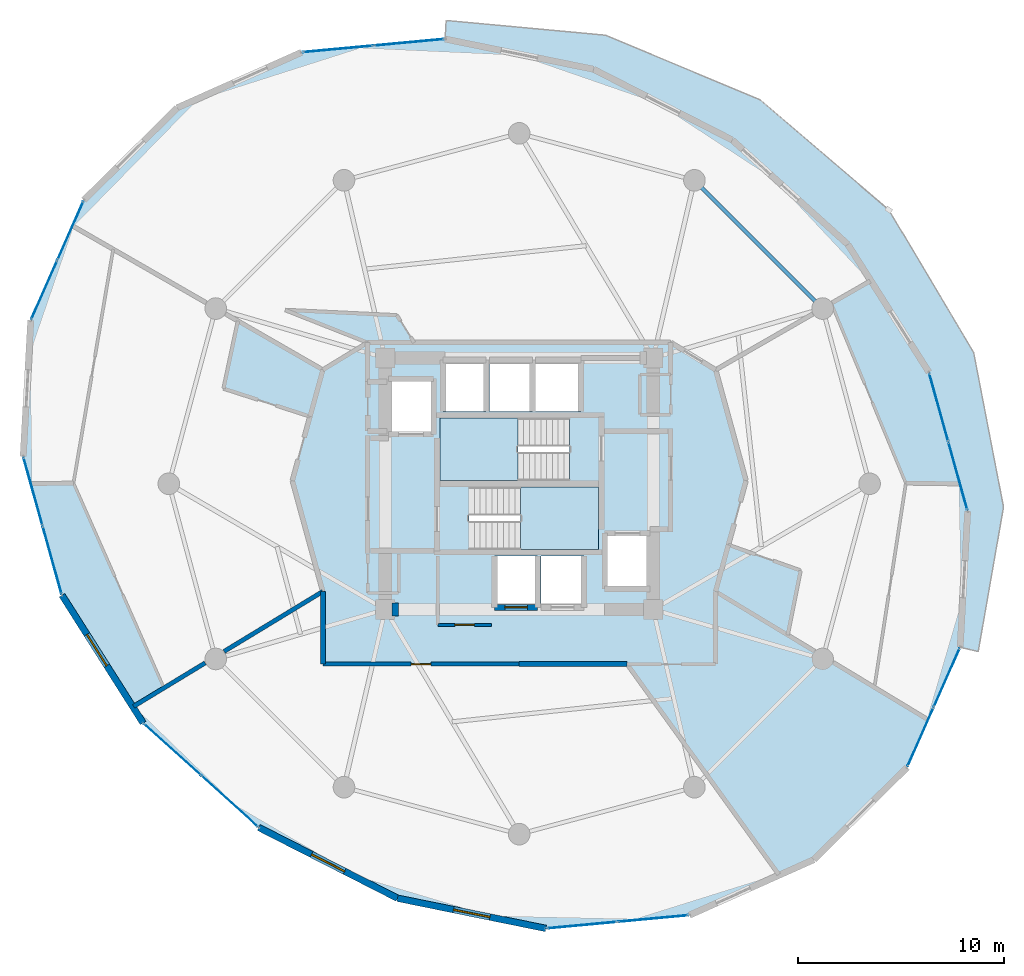
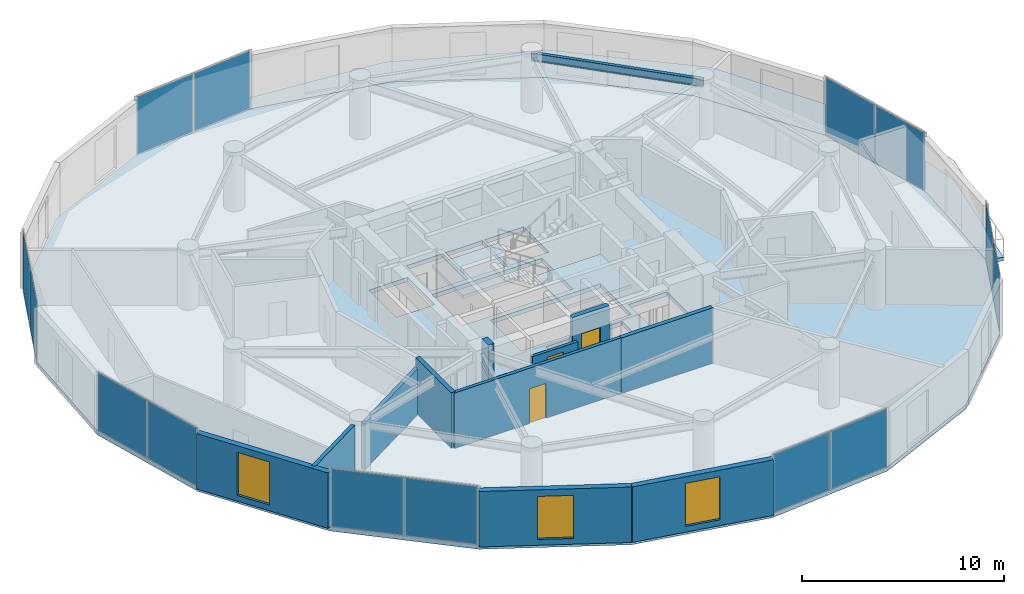
# One storey, part 19 of 25: 14 plates, 11 walls, 4 slabs, 3 doors, 3 windows, 1 beam, 6 openings, 9 elements without a shape of their own.
"""IFC4 building model written with IfcOpenShell, lengths in metres."""

from ifc_helpers import new_model, si_unit, direction, frame, frame_2d, origin, origin_2d, place, context, subcontext, project, spatial, polyline, rectangle, i_section, outline, extrude, source, transform, mapped, material, layer, layer_set, material_profile, profile_set, type_object, element, fill, aggregate, save


model = new_model("IFC4")

# Units and contexts
model_context = context("Model", 3, precision=1e-05, world=origin(), true_north=direction((0.0, 1.0)))
body_context = subcontext(model_context, "Body", "Model", "MODEL_VIEW")
ifc_project = project(units=[si_unit("LENGTHUNIT", "METRE"), si_unit("AREAUNIT", "SQUARE_METRE"), si_unit("VOLUMEUNIT", "CUBIC_METRE"), si_unit("PLANEANGLEUNIT", "RADIAN"), si_unit("MASSUNIT", "GRAM", prefix="KILO")], contexts=[model_context])

# Site, building, storey
site_placement = place(None, origin())
site = spatial("IfcSite", under=ifc_project, at=site_placement, CompositionType="ELEMENT")
building_placement = place(site_placement, origin())
building = spatial("IfcBuilding", under=site, at=building_placement, Name="Solvirekh Grand Hotel", CompositionType="ELEMENT")
storey_placement = place(building_placement, frame((0.0, 0.0, 117.0)))
storey = spatial("IfcBuildingStorey", under=building, at=storey_placement, Name="L29", CompositionType="ELEMENT", Elevation=117.0)

# Beam
ifc_material_1 = material(Name="Steel S355", Category="steel")
ifc_material_profile = material_profile(ifc_material_1, i_section(OverallWidth=0.18994140625, OverallDepth=0.45703125, WebThickness=0.009033203125, FlangeThickness=0.013916015625, FilletRadius=0.012939453125, at=origin_2d()), Name="W460X74")
ifc_profile_set = profile_set([ifc_material_profile], Name="Steel S355")
beam_type = type_object("IfcBeamType", Name="Spandrel_Ring_W460", PredefinedType="SPANDREL", material=ifc_profile_set)
beam_placement = place(storey_placement, frame((14.721923828125, 8.5, 3.12109375), z_axis=(-0.707106781187, 0.707106781187, 0.0), x_axis=(-0.707106781187, -0.707106781187, 0.0)))
element("IfcBeam", 1, at=beam_placement, inside=storey, type_object=beam_type, Name="L29 perimeter spandrel beam 2", PredefinedType="SPANDREL", context=body_context, shape_type="SweptSolid", body=[
    extrude(i_section(OverallWidth=0.18994140625, OverallDepth=0.45703125, WebThickness=0.009033203125, FlangeThickness=0.013916015625, FilletRadius=0.012939453125, at=origin_2d()), origin(), (0.0, 0.0, 1.0), 8.799072265625),
])

# Slab
ifc_material_2 = material(Name="Concrete C50/60", Category="concrete")
ifc_layer_1 = layer(ifc_material_2, 0.215087890625)
ifc_layer_set_1 = layer_set([ifc_layer_1], Name="Concrete C50/60")
slab_type_1 = type_object("IfcSlabType", Name="ExtCrescentBalc_215", PredefinedType="FLOOR", material=ifc_layer_set_1)
slab_1_placement = place(storey_placement, frame((0.0, 0.0, -0.215087890625)))
element("IfcSlab", 2, at=slab_1_placement, inside=storey, type_object=slab_type_1, Name="L29 sweeping crescent balcony slab", PredefinedType="FLOOR", context=body_context, shape_type="SweptSolid", body=[
    extrude(outline(polyline([(22.26904296875, -8.136962890625), (23.4970703125, -1.1298828125), (22.0458984375, 6.3779296875), (17.929931640625, 13.2900390625), (11.68310546875, 18.6298828125), (4.18408203125, 21.761962890625), (-3.54296875, 22.47607421875), (-3.594970703125, 21.576904296875), (3.60400390625, 20.111083984375), (10.3369140625, 16.677001953125), (15.946044921875, 11.60888671875), (19.882080078125, 5.406005859375), (21.759033203125, -1.326904296875), (21.39306640625, -7.929931640625), (22.26904296875, -8.136962890625)])), origin(), (0.0, 0.0, 1.0), 0.215087890625),
])

# Stair, slab
ifc_material_3 = material(Name="Concrete C40/50", Category="concrete")
stair_type = type_object("IfcStairType", Name="Stair_Core_1450", PredefinedType="HALF_TURN_STAIR", material=ifc_material_3)
stair_1_placement = place(storey_placement, origin())
stair_1 = element("IfcStair", 3, at=stair_1_placement, inside=storey, type_object=stair_type, Name="L29 Enclosed exit stair ST-1", PredefinedType="HALF_TURN_STAIR")
ifc_layer_2 = layer(ifc_material_3, 0.199951171875)
ifc_layer_set_2 = layer_set([ifc_layer_2], Name="Concrete C40/50")
slab_type_2 = type_object("IfcSlabType", Name="Landing_Stair_200", PredefinedType="LANDING", material=ifc_layer_set_2)
slab_2_placement = place(storey_placement, frame((0.0, 0.0, 1.60009765625)))
slab_2 = element("IfcSlab", 4, at=slab_2_placement, type_object=slab_type_2, Name="ST-1 landing 1", PredefinedType="LANDING", context=body_context, shape_type="SweptSolid", body=[
    extrude(outline(polyline([(0.070068359375, -3.199951171875), (3.85009765625, -3.199951171875), (3.85009765625, -0.14990234375), (0.070068359375, -0.14990234375), (0.070068359375, -3.199951171875)])), origin(), (0.0, 0.0, 1.0), 0.199951171875),
])
aggregate(stair_1, [slab_2])

stair_2_placement = place(storey_placement, origin())
stair_2 = element("IfcStair", 5, at=stair_2_placement, inside=storey, type_object=stair_type, Name="L29 Enclosed exit stair ST-2", PredefinedType="HALF_TURN_STAIR")
slab_3_placement = place(storey_placement, frame((0.0, 0.0, 1.60009765625)))
slab_3 = element("IfcSlab", 6, at=slab_3_placement, type_object=slab_type_2, Name="ST-2 landing 1", PredefinedType="LANDING", context=body_context, shape_type="SweptSolid", body=[
    extrude(outline(polyline([(-0.070068359375, 3.199951171875), (-3.85009765625, 3.199951171875), (-3.85009765625, 0.14990234375), (-0.070068359375, 0.14990234375), (-0.070068359375, 3.199951171875)])), origin(), (0.0, 0.0, 1.0), 0.199951171875),
])
aggregate(stair_2, [slab_3])

# Slab
ifc_layer_3 = layer(ifc_material_2, 0.25)
ifc_layer_set_3 = layer_set([ifc_layer_3], Name="Concrete C50/60")
slab_type_3 = type_object("IfcSlabType", Name="Slab_GuestZ2_250", PredefinedType="FLOOR", material=ifc_layer_set_3)
slab_4_placement = place(storey_placement, frame((0.0, 0.0, -0.25)))
element("IfcSlab", 7, at=slab_4_placement, inside=storey, type_object=slab_type_3, Name="L29 structural floor slab", PredefinedType="FLOOR", context=body_context, shape_type="SweptSolid", body=[
    extrude(outline(polyline([(18.821044921875, -13.756103515625), (21.39306640625, -7.929931640625), (21.759033203125, -1.326904296875), (19.882080078125, 5.406005859375), (15.946044921875, 11.60888671875), (10.3369140625, 16.677001953125), (3.60400390625, 20.111083984375), (-3.594970703125, 21.576904296875), (-10.554931640625, 20.930908203125), (-16.593017578125, 18.236083984375), (-21.12109375, 13.756103515625), (-23.693115234375, 7.929931640625), (-24.05908203125, 1.326904296875), (-22.181884765625, -5.406005859375), (-18.24609375, -11.60888671875), (-12.636962890625, -16.677001953125), (-5.904052734375, -20.111083984375), (1.294921875, -21.576904296875), (8.2548828125, -20.930908203125), (14.29296875, -18.236083984375), (18.821044921875, -13.756103515625)]), holes=[polyline([(-2.444091796875, -0.14990234375), (3.85009765625, -0.14990234375), (3.85009765625, -3.199951171875), (-2.444091796875, -3.199951171875), (-2.444091796875, -0.14990234375)]), polyline([(2.444091796875, 0.14990234375), (-3.85009765625, 0.14990234375), (-3.85009765625, 3.199951171875), (2.444091796875, 3.199951171875), (2.444091796875, 0.14990234375)]), polyline([(-1.199951171875, -3.5), (0.89990234375, -3.5), (0.89990234375, -6.0), (-1.199951171875, -6.0), (-1.199951171875, -3.5)]), polyline([(1.050048828125, -3.5), (3.14990234375, -3.5), (3.14990234375, -6.0), (1.050048828125, -6.0), (1.050048828125, -3.5)]), polyline([(-3.699951171875, 6.0), (-1.60009765625, 6.0), (-1.60009765625, 3.5), (-3.699951171875, 3.5), (-3.699951171875, 6.0)]), polyline([(-1.449951171875, 6.0), (0.64990234375, 6.0), (0.64990234375, 3.5), (-1.449951171875, 3.5), (-1.449951171875, 6.0)]), polyline([(0.800048828125, 6.0), (3.0, 6.0), (3.0, 3.5), (0.800048828125, 3.5), (0.800048828125, 6.0)]), polyline([(-6.35009765625, 5.10009765625), (-4.14990234375, 5.10009765625), (-4.14990234375, 2.39990234375), (-6.35009765625, 2.39990234375), (-6.35009765625, 5.10009765625)]), polyline([(4.14990234375, -2.39990234375), (6.35009765625, -2.39990234375), (6.35009765625, -5.10009765625), (4.14990234375, -5.10009765625), (4.14990234375, -2.39990234375)])]), origin(), (0.0, 0.0, 1.0), 0.25),
])

# Curtain wall, plates
ifc_material_4 = material(Name="Anodized Bronze Aluminium 6063-T6", Category="aluminium")
ifc_layer_4 = layer(ifc_material_4, 0.175048828125)
ifc_layer_set_4 = layer_set([ifc_layer_4], Name="Anodized Bronze Aluminium 6063-T6")
curtain_wall_type = type_object("IfcCurtainWallType", Name="CW_Sys3_MidZoneFlushBronzeCW", PredefinedType="NOTDEFINED", material=ifc_layer_set_4)
curtain_wall_1_placement = place(storey_placement, origin())
curtain_wall_1 = element("IfcCurtainWall", 8, at=curtain_wall_1_placement, inside=storey, type_object=curtain_wall_type, Name="L29 unitised bronze-glass curtain wall CW-L29-C15", PredefinedType="NOTDEFINED")
ifc_material_5 = material(Name="Low-E Tinted Bronze Laminated Glass", Category="aluminium")
ifc_layer_5 = layer(ifc_material_5, 0.035888671875)
ifc_layer_set_5 = layer_set([ifc_layer_5], Name="Low-E Tinted Bronze Laminated Glass")
plate_type = type_object("IfcPlateType", Name="CWPanel_Mid_36", PredefinedType="CURTAIN_PANEL", material=ifc_layer_set_5)
shared_shape_1 = source(origin(), body_context, "Body", "SweptSolid", [
    extrude(rectangle(XDim=3.68212890625, YDim=0.035888671875, at=origin_2d()), origin(), (0.0, 0.0, 1.0), 3.489990234375),
])
plate_1_placement = place(storey_placement, frame((-16.831787109375, -12.886962890625, 0.05517578125), z_axis=(0.0, 0.0, 1.0), x_axis=(0.741983764546, -0.670417849666, 0.0)))
plate_1 = element("IfcPlate", 9, at=plate_1_placement, type_object=plate_type, Name="U03 panel 1.1", PredefinedType="CURTAIN_PANEL", context=body_context, shape_type="MappedRepresentation", body=[
    mapped(shared_shape_1, transform((0.0, 0.0, 0.0), x_axis=(1.0, 0.0, 0.0), y_axis=(0.0, 1.0, 0.0), z_axis=(0.0, 0.0, 1.0), scale=1.0)),
])
plate_2_placement = place(storey_placement, frame((-14.05126953125, -15.399169921875, 0.05517578125), z_axis=(0.0, 0.0, 1.0), x_axis=(0.741983764546, -0.670417849666, 0.0)))
plate_2 = element("IfcPlate", 10, at=plate_2_placement, type_object=plate_type, Name="U03 panel 2.1", PredefinedType="CURTAIN_PANEL", context=body_context, shape_type="MappedRepresentation", body=[
    mapped(shared_shape_1, transform((0.0, 0.0, 0.0), x_axis=(1.0, 0.0, 0.0), y_axis=(0.0, 1.0, 0.0), z_axis=(0.0, 0.0, 1.0), scale=1.0)),
])
aggregate(curtain_wall_1, [plate_1, plate_2])

curtain_wall_2_placement = place(storey_placement, origin())
curtain_wall_2 = element("IfcCurtainWall", 11, at=curtain_wall_2_placement, inside=storey, type_object=curtain_wall_type, Name="L29 unitised bronze-glass curtain wall CW-L29-C01", PredefinedType="NOTDEFINED")
shared_shape_2 = source(origin(), body_context, "Body", "SweptSolid", [
    extrude(rectangle(XDim=3.086669921875, YDim=0.035888671875, at=origin_2d()), origin(), (0.0, 0.0, 1.0), 3.489990234375),
])
plate_3_placement = place(storey_placement, frame((19.470458984375, -12.28466796875, 0.05517578125), z_axis=(0.0, 0.0, 1.0), x_axis=(0.403864416262, 0.914818852712, 0.0)))
plate_3 = element("IfcPlate", 12, at=plate_3_placement, type_object=plate_type, Name="U03 panel 1.1", PredefinedType="CURTAIN_PANEL", context=body_context, shape_type="MappedRepresentation", body=[
    mapped(shared_shape_2, transform((0.0, 0.0, 0.0), x_axis=(1.0, 0.0, 0.0), y_axis=(0.0, 1.0, 0.0), z_axis=(0.0, 0.0, 1.0), scale=1.0)),
])
plate_4_placement = place(storey_placement, frame((20.743408203125, -9.4013671875, 0.05517578125), z_axis=(0.0, 0.0, 1.0), x_axis=(0.403864416262, 0.914818852712, 0.0)))
plate_4 = element("IfcPlate", 13, at=plate_4_placement, type_object=plate_type, Name="U03 panel 2.1", PredefinedType="CURTAIN_PANEL", context=body_context, shape_type="MappedRepresentation", body=[
    mapped(shared_shape_2, transform((0.0, 0.0, 0.0), x_axis=(1.0, 0.0, 0.0), y_axis=(0.0, 1.0, 0.0), z_axis=(0.0, 0.0, 1.0), scale=1.0)),
])
aggregate(curtain_wall_2, [plate_3, plate_4])

curtain_wall_3_placement = place(storey_placement, origin())
curtain_wall_3 = element("IfcCurtainWall", 14, at=curtain_wall_3_placement, inside=storey, type_object=curtain_wall_type, Name="L29 unitised bronze-glass curtain wall CW-L29-C11", PredefinedType="NOTDEFINED")
plate_5_placement = place(storey_placement, frame((-21.7705078125, 12.28466796875, 0.05517578125), z_axis=(0.0, 0.0, 1.0), x_axis=(-0.403864416262, -0.914818852712, 0.0)))
plate_5 = element("IfcPlate", 15, at=plate_5_placement, type_object=plate_type, Name="U03 panel 1.1", PredefinedType="CURTAIN_PANEL", context=body_context, shape_type="MappedRepresentation", body=[
    mapped(shared_shape_2, transform((0.0, 0.0, 0.0), x_axis=(1.0, 0.0, 0.0), y_axis=(0.0, 1.0, 0.0), z_axis=(0.0, 0.0, 1.0), scale=1.0)),
])
plate_6_placement = place(storey_placement, frame((-23.04345703125, 9.4013671875, 0.05517578125), z_axis=(0.0, 0.0, 1.0), x_axis=(-0.403864416262, -0.914818852712, 0.0)))
plate_6 = element("IfcPlate", 16, at=plate_6_placement, type_object=plate_type, Name="U03 panel 2.1", PredefinedType="CURTAIN_PANEL", context=body_context, shape_type="MappedRepresentation", body=[
    mapped(shared_shape_2, transform((0.0, 0.0, 0.0), x_axis=(1.0, 0.0, 0.0), y_axis=(0.0, 1.0, 0.0), z_axis=(0.0, 0.0, 1.0), scale=1.0)),
])
aggregate(curtain_wall_3, [plate_5, plate_6])

curtain_wall_4_placement = place(storey_placement, origin())
curtain_wall_4 = element("IfcCurtainWall", 17, at=curtain_wall_4_placement, inside=storey, type_object=curtain_wall_type, Name="L29 unitised bronze-glass curtain wall CW-L29-C03", PredefinedType="NOTDEFINED")
shared_shape_3 = source(origin(), body_context, "Body", "SweptSolid", [
    extrude(rectangle(XDim=3.3974609375, YDim=0.035888671875, at=origin_2d()), origin(), (0.0, 0.0, 1.0), 3.489990234375),
])
plate_7_placement = place(storey_placement, frame((21.285400390625, 0.371826171875, 0.05517578125), z_axis=(0.0, 0.0, 1.0), x_axis=(-0.26853658477, 0.96326948599, 0.0)))
plate_7 = element("IfcPlate", 18, at=plate_7_placement, type_object=plate_type, Name="U03 panel 1.1", PredefinedType="CURTAIN_PANEL", context=body_context, shape_type="MappedRepresentation", body=[
    mapped(shared_shape_3, transform((0.0, 0.0, 0.0), x_axis=(1.0, 0.0, 0.0), y_axis=(0.0, 1.0, 0.0), z_axis=(0.0, 0.0, 1.0), scale=1.0)),
])
plate_8_placement = place(storey_placement, frame((20.355712890625, 3.70703125, 0.05517578125), z_axis=(0.0, 0.0, 1.0), x_axis=(-0.26853658477, 0.96326948599, 0.0)))
plate_8 = element("IfcPlate", 19, at=plate_8_placement, type_object=plate_type, Name="U03 panel 2.1", PredefinedType="CURTAIN_PANEL", context=body_context, shape_type="MappedRepresentation", body=[
    mapped(shared_shape_3, transform((0.0, 0.0, 0.0), x_axis=(1.0, 0.0, 0.0), y_axis=(0.0, 1.0, 0.0), z_axis=(0.0, 0.0, 1.0), scale=1.0)),
])
aggregate(curtain_wall_4, [plate_7, plate_8])

curtain_wall_5_placement = place(storey_placement, origin())
curtain_wall_5 = element("IfcCurtainWall", 20, at=curtain_wall_5_placement, inside=storey, type_object=curtain_wall_type, Name="L29 unitised bronze-glass curtain wall CW-L29-C08", PredefinedType="NOTDEFINED")
plate_9_placement = place(storey_placement, frame((-5.35107421875, 21.4140625, 0.05517578125), z_axis=(0.0, 0.0, 1.0), x_axis=(-0.99572021895, -0.092418859404, 0.0)))
plate_9 = element("IfcPlate", 21, at=plate_9_placement, type_object=plate_type, Name="U03 panel 1.1", PredefinedType="CURTAIN_PANEL", context=body_context, shape_type="MappedRepresentation", body=[
    mapped(shared_shape_3, transform((0.0, 0.0, 0.0), x_axis=(1.0, 0.0, 0.0), y_axis=(0.0, 1.0, 0.0), z_axis=(0.0, 0.0, 1.0), scale=1.0)),
])
plate_10_placement = place(storey_placement, frame((-8.798828125, 21.093994140625, 0.05517578125), z_axis=(0.0, 0.0, 1.0), x_axis=(-0.99572021895, -0.092418859404, 0.0)))
plate_10 = element("IfcPlate", 22, at=plate_10_placement, type_object=plate_type, Name="U03 panel 2.1", PredefinedType="CURTAIN_PANEL", context=body_context, shape_type="MappedRepresentation", body=[
    mapped(shared_shape_3, transform((0.0, 0.0, 0.0), x_axis=(1.0, 0.0, 0.0), y_axis=(0.0, 1.0, 0.0), z_axis=(0.0, 0.0, 1.0), scale=1.0)),
])
aggregate(curtain_wall_5, [plate_9, plate_10])

curtain_wall_6_placement = place(storey_placement, origin())
curtain_wall_6 = element("IfcCurtainWall", 23, at=curtain_wall_6_placement, inside=storey, type_object=curtain_wall_type, Name="L29 unitised bronze-glass curtain wall CW-L29-C13", PredefinedType="NOTDEFINED")
plate_11_placement = place(storey_placement, frame((-23.58544921875, -0.371826171875, 0.05517578125), z_axis=(0.0, 0.0, 1.0), x_axis=(0.26853658477, -0.96326948599, 0.0)))
plate_11 = element("IfcPlate", 24, at=plate_11_placement, type_object=plate_type, Name="U03 panel 1.1", PredefinedType="CURTAIN_PANEL", context=body_context, shape_type="MappedRepresentation", body=[
    mapped(shared_shape_3, transform((0.0, 0.0, 0.0), x_axis=(1.0, 0.0, 0.0), y_axis=(0.0, 1.0, 0.0), z_axis=(0.0, 0.0, 1.0), scale=1.0)),
])
plate_12_placement = place(storey_placement, frame((-22.655517578125, -3.70703125, 0.05517578125), z_axis=(0.0, 0.0, 1.0), x_axis=(0.26853658477, -0.96326948599, 0.0)))
plate_12 = element("IfcPlate", 25, at=plate_12_placement, type_object=plate_type, Name="U03 panel 2.1", PredefinedType="CURTAIN_PANEL", context=body_context, shape_type="MappedRepresentation", body=[
    mapped(shared_shape_3, transform((0.0, 0.0, 0.0), x_axis=(1.0, 0.0, 0.0), y_axis=(0.0, 1.0, 0.0), z_axis=(0.0, 0.0, 1.0), scale=1.0)),
])
aggregate(curtain_wall_6, [plate_11, plate_12])

curtain_wall_7_placement = place(storey_placement, origin())
curtain_wall_7 = element("IfcCurtainWall", 26, at=curtain_wall_7_placement, inside=storey, type_object=curtain_wall_type, Name="L29 unitised bronze-glass curtain wall CW-L29-C18", PredefinedType="NOTDEFINED")
plate_13_placement = place(storey_placement, frame((3.05126953125, -21.4140625, 0.05517578125), z_axis=(0.0, 0.0, 1.0), x_axis=(0.99572021895, 0.092418859404, 0.0)))
plate_13 = element("IfcPlate", 27, at=plate_13_placement, type_object=plate_type, Name="U03 panel 1.1", PredefinedType="CURTAIN_PANEL", context=body_context, shape_type="MappedRepresentation", body=[
    mapped(shared_shape_3, transform((0.0, 0.0, 0.0), x_axis=(1.0, 0.0, 0.0), y_axis=(0.0, 1.0, 0.0), z_axis=(0.0, 0.0, 1.0), scale=1.0)),
])
plate_14_placement = place(storey_placement, frame((6.498779296875, -21.093994140625, 0.05517578125), z_axis=(0.0, 0.0, 1.0), x_axis=(0.99572021895, 0.092418859404, 0.0)))
plate_14 = element("IfcPlate", 28, at=plate_14_placement, type_object=plate_type, Name="U03 panel 2.1", PredefinedType="CURTAIN_PANEL", context=body_context, shape_type="MappedRepresentation", body=[
    mapped(shared_shape_3, transform((0.0, 0.0, 0.0), x_axis=(1.0, 0.0, 0.0), y_axis=(0.0, 1.0, 0.0), z_axis=(0.0, 0.0, 1.0), scale=1.0)),
])
aggregate(curtain_wall_7, [plate_13, plate_14])

# Wall, opening, door
ifc_layer_6 = layer(ifc_material_3, 0.280029296875)
ifc_layer_set_6 = layer_set([ifc_layer_6], Name="Concrete C40/50")
wall_type_1 = type_object("IfcWallType", Name="CoreShaftWall_RC280", PredefinedType="SOLIDWALL", material=ifc_layer_set_6)
wall_1_placement = place(storey_placement, frame((-1.199951171875, -6.0, 0.0), z_axis=(0.0, 0.0, 1.0), x_axis=(1.0, 0.0, 0.0)))
wall_1 = element("IfcWall", 29, at=wall_1_placement, inside=storey, type_object=wall_type_1, Name="L29 MP-1 hoistway S wall", PredefinedType="SOLIDWALL", context=body_context, shape_type="SweptSolid", body=[
    extrude(rectangle(XDim=2.099853515625, YDim=0.280029296875, at=frame_2d((1.0498046875, 0.0))), origin(), (0.0, 0.0, 1.0), 3.35009765625),
])
opening_1_placement = place(wall_1_placement, frame((0.5, 0.0, 0.0)))
opening_1 = element("IfcOpeningElement", 30, at=opening_1_placement, cuts=wall_1, Name="Opening LD01", PredefinedType="OPENING", context=body_context, shape_type="SweptSolid", body=[
    extrude(rectangle(XDim=1.10009765625, YDim=2.199951171875, at=frame_2d((0.550048828125, 1.10009765625))), frame((0.0, 0.14990234375, 0.0), z_axis=(0.0, -1.0, 0.0), x_axis=(1.0, 0.0, 0.0)), (0.0, 0.0, 1.0), 0.300048828125),
])
ifc_material_6 = material(Name="Fire-Rated Steel Door Assembly", Category="steel")
door_type_1 = type_object("IfcDoorType", Name="Door_LiftLanding_1100X2200", OperationType="SLIDING_TO_LEFT", PredefinedType="DOOR", material=ifc_material_6)
door_1_placement = place(opening_1_placement, origin())
door_1 = element("IfcDoor", 31, at=door_1_placement, inside=storey, type_object=door_type_1, Name="L29 MP-1 sliding lift landing door", OperationType="SLIDING_TO_LEFT", OverallHeight=2.199951171875, OverallWidth=1.10009765625, PredefinedType="DOOR", context=body_context, shape_type="SweptSolid", body=[
    extrude(rectangle(XDim=1.10009765625, YDim=2.199951171875, at=frame_2d((0.550048828125, 1.10009765625))), frame((0.0, 0.02490234375, 0.0), z_axis=(0.0, -1.0, 0.0), x_axis=(1.0, 0.0, 0.0)), (0.0, 0.0, 1.0), 0.050048828125),
])
fill(opening_1, door_1)

# Wall
ifc_layer_7 = layer(ifc_material_2, 0.64990234375)
ifc_layer_set_7 = layer_set([ifc_layer_7], Name="Concrete C50/60")
wall_type_2 = type_object("IfcWallType", Name="CoreWall_RC650", PredefinedType="SHEAR", material=ifc_layer_set_7)
wall_2_placement = place(storey_placement, frame((-6.175048828125, -6.10009765625, 0.0), z_axis=(0.0, 0.0, 1.0), x_axis=(1.0, 0.0, 0.0)))
element("IfcWall", 32, at=wall_2_placement, inside=storey, type_object=wall_type_2, Name="L29 core corner shear wall SW-S", PredefinedType="SHEAR", context=body_context, shape_type="SweptSolid", body=[
    extrude(rectangle(XDim=0.324951171875, YDim=0.64990234375, at=frame_2d((0.16259765625, 0.0))), origin(), (0.0, 0.0, 1.0), 3.60009765625),
])

# Wall, opening, window
ifc_material_7 = material(Name="Precast concrete C45/55", Category="concrete")
ifc_layer_8 = layer(ifc_material_7, 0.320068359375)
ifc_layer_set_8 = layer_set([ifc_layer_8], Name="Precast concrete C45/55")
wall_type_3 = type_object("IfcWallType", Name="ExtLobbyWall_RC320", PredefinedType="SOLIDWALL", material=ifc_layer_set_8)
wall_3_placement = place(storey_placement, frame((-18.24609375, -11.60888671875, 0.0), z_axis=(0.0, 0.0, 1.0), x_axis=(-0.535761107492, 0.844369608465, 0.0)))
wall_3 = element("IfcWall", 33, at=wall_3_placement, inside=storey, type_object=wall_type_3, Name="L29 exterior structural wall chord 14", PredefinedType="SOLIDWALL", context=body_context, shape_type="SweptSolid", body=[
    extrude(rectangle(XDim=7.34619140625, YDim=0.320068359375, at=frame_2d((3.673095703125, 0.0))), origin(), (0.0, 0.0, 1.0), 3.35009765625),
])
opening_2_placement = place(wall_3_placement, frame((3.2880859375, 0.0, 0.35009765625)))
opening_2 = element("IfcOpeningElement", 34, at=opening_2_placement, cuts=wall_3, Name="Opening W02", PredefinedType="OPENING", context=body_context, shape_type="SweptSolid", body=[
    extrude(rectangle(XDim=1.800048828125, YDim=2.60009765625, at=frame_2d((0.89990234375, 1.300048828125))), frame((0.0, 0.169921875, 0.0), z_axis=(0.0, -1.0, 0.0), x_axis=(1.0, 0.0, 0.0)), (0.0, 0.0, 1.0), 0.340087890625),
])
window_type = type_object("IfcWindowType", Name="Win_LobbyExt_1800X2600", PartitioningType="SINGLE_PANEL", PredefinedType="WINDOW", material=ifc_material_5)
window_1_placement = place(opening_2_placement, origin())
window_1 = element("IfcWindow", 35, at=window_1_placement, inside=storey, type_object=window_type, Name="L29 panoramic bronze-framed window 14", OverallHeight=2.60009765625, OverallWidth=1.800048828125, PartitioningType="SINGLE_PANEL", PredefinedType="WINDOW", context=body_context, shape_type="SweptSolid", body=[
    extrude(rectangle(XDim=1.800048828125, YDim=2.60009765625, at=frame_2d((0.89990234375, 1.300048828125))), frame((0.0, 0.030029296875, 0.0), z_axis=(0.0, -1.0, 0.0), x_axis=(1.0, 0.0, 0.0)), (0.0, 0.0, 1.0), 0.06005859375),
])
fill(opening_2, window_1)

wall_4_placement = place(storey_placement, frame((-5.904052734375, -20.111083984375, 0.0), z_axis=(0.0, 0.0, 1.0), x_axis=(-0.890819506235, 0.454357356396, 0.0)))
wall_4 = element("IfcWall", 36, at=wall_4_placement, inside=storey, type_object=wall_type_3, Name="L29 exterior structural wall chord 16", PredefinedType="SOLIDWALL", context=body_context, shape_type="SweptSolid", body=[
    extrude(rectangle(XDim=7.55810546875, YDim=0.320068359375, at=frame_2d((3.779052734375, 0.0))), origin(), (0.0, 0.0, 1.0), 3.35009765625),
])
opening_3_placement = place(wall_4_placement, frame((2.87890625, 0.0, 0.35009765625)))
opening_3 = element("IfcOpeningElement", 37, at=opening_3_placement, cuts=wall_4, Name="Opening W02", PredefinedType="OPENING", context=body_context, shape_type="SweptSolid", body=[
    extrude(rectangle(XDim=1.800048828125, YDim=2.60009765625, at=frame_2d((0.89990234375, 1.300048828125))), frame((0.0, 0.169921875, 0.0), z_axis=(0.0, -1.0, 0.0), x_axis=(1.0, 0.0, 0.0)), (0.0, 0.0, 1.0), 0.340087890625),
])
window_2_placement = place(opening_3_placement, origin())
window_2 = element("IfcWindow", 38, at=window_2_placement, inside=storey, type_object=window_type, Name="L29 panoramic bronze-framed window 16", OverallHeight=2.60009765625, OverallWidth=1.800048828125, PartitioningType="SINGLE_PANEL", PredefinedType="WINDOW", context=body_context, shape_type="SweptSolid", body=[
    extrude(rectangle(XDim=1.800048828125, YDim=2.60009765625, at=frame_2d((0.89990234375, 1.300048828125))), frame((0.0, 0.030029296875, 0.0), z_axis=(0.0, -1.0, 0.0), x_axis=(1.0, 0.0, 0.0)), (0.0, 0.0, 1.0), 0.06005859375),
])
fill(opening_3, window_2)

wall_5_placement = place(storey_placement, frame((1.294921875, -21.576904296875, 0.0), z_axis=(0.0, 0.0, 1.0), x_axis=(-0.979893516474, 0.199521167732, 0.0)))
wall_5 = element("IfcWall", 39, at=wall_5_placement, inside=storey, type_object=wall_type_3, Name="L29 exterior structural wall chord 17", PredefinedType="SOLIDWALL", context=body_context, shape_type="SweptSolid", body=[
    extrude(rectangle(XDim=7.3466796875, YDim=0.320068359375, at=frame_2d((3.67333984375, 0.0))), origin(), (0.0, 0.0, 1.0), 3.35009765625),
])
opening_4_placement = place(wall_5_placement, frame((2.77294921875, 0.0, 0.35009765625)))
opening_4 = element("IfcOpeningElement", 40, at=opening_4_placement, cuts=wall_5, Name="Opening W02", PredefinedType="OPENING", context=body_context, shape_type="SweptSolid", body=[
    extrude(rectangle(XDim=1.800048828125, YDim=2.60009765625, at=frame_2d((0.89990234375, 1.300048828125))), frame((0.0, 0.169921875, 0.0), z_axis=(0.0, -1.0, 0.0), x_axis=(1.0, 0.0, 0.0)), (0.0, 0.0, 1.0), 0.340087890625),
])
window_3_placement = place(opening_4_placement, origin())
window_3 = element("IfcWindow", 41, at=window_3_placement, inside=storey, type_object=window_type, Name="L29 panoramic bronze-framed window 17", OverallHeight=2.60009765625, OverallWidth=1.800048828125, PartitioningType="SINGLE_PANEL", PredefinedType="WINDOW", context=body_context, shape_type="SweptSolid", body=[
    extrude(rectangle(XDim=1.800048828125, YDim=2.60009765625, at=frame_2d((0.89990234375, 1.300048828125))), frame((0.0, 0.030029296875, 0.0), z_axis=(0.0, -1.0, 0.0), x_axis=(1.0, 0.0, 0.0)), (0.0, 0.0, 1.0), 0.06005859375),
])
fill(opening_4, window_3)

# Wall, opening, door
ifc_material_8 = material(Name="Acoustic Gypsum Partition Assembly")
ifc_layer_9 = layer(ifc_material_8, 0.1650390625)
ifc_layer_set_9 = layer_set([ifc_layer_9], Name="Acoustic Gypsum Partition Assembly")
wall_type_4 = type_object("IfcWallType", Name="Part_BOH_165", PredefinedType="PARTITIONING", material=ifc_layer_set_9)
wall_6_placement = place(storey_placement, frame((-3.949951171875, -6.85009765625, 0.0), z_axis=(0.0, 0.0, 1.0), x_axis=(1.0, 0.0, 0.0)))
wall_6 = element("IfcWall", 42, at=wall_6_placement, inside=storey, type_object=wall_type_4, Name="L29 Mid-Zone Housekeeping Room wall 1", PredefinedType="PARTITIONING", context=body_context, shape_type="SweptSolid", body=[
    extrude(rectangle(XDim=2.599853515625, YDim=0.1650390625, at=frame_2d((1.2998046875, 0.0))), origin(), (0.0, 0.0, 1.0), 2.43505859375),
])
opening_5_placement = place(wall_6_placement, frame((0.824951171875, 0.0, 0.0)))
opening_5 = element("IfcOpeningElement", 43, at=opening_5_placement, cuts=wall_6, Name="Opening D10", PredefinedType="OPENING", context=body_context, shape_type="SweptSolid", body=[
    extrude(rectangle(XDim=0.949951171875, YDim=2.10009765625, at=frame_2d((0.47509765625, 1.050048828125))), frame((0.0, 0.092529296875, 0.0), z_axis=(0.0, -1.0, 0.0), x_axis=(1.0, 0.0, 0.0)), (0.0, 0.0, 1.0), 0.18505859375),
])
door_type_2 = type_object("IfcDoorType", Name="Door_RoomInt_950X2100", OperationType="NOTDEFINED", PredefinedType="DOOR", material=ifc_material_4)
door_2_placement = place(opening_5_placement, origin())
door_2 = element("IfcDoor", 44, at=door_2_placement, inside=storey, type_object=door_type_2, Name="L29 Mid-Zone Housekeeping Room door", OperationType="SINGLE_SWING_LEFT", OverallHeight=2.10009765625, OverallWidth=0.949951171875, PredefinedType="DOOR", context=body_context, shape_type="SweptSolid", body=[
    extrude(rectangle(XDim=0.949951171875, YDim=2.10009765625, at=frame_2d((0.47509765625, 1.050048828125))), frame((0.0, 0.02490234375, 0.0), z_axis=(0.0, -1.0, 0.0), x_axis=(1.0, 0.0, 0.0)), (0.0, 0.0, 1.0), 0.050048828125),
])
fill(opening_5, door_2)

# Walls
ifc_layer_10 = layer(ifc_material_8, 0.239990234375)
ifc_layer_set_10 = layer_set([ifc_layer_10], Name="Acoustic Gypsum Partition Assembly")
wall_type_5 = type_object("IfcWallType", Name="Part_Corridor_240", PredefinedType="PARTITIONING", material=ifc_layer_set_10)
wall_7_placement = place(storey_placement, frame((-9.52587890625, -5.22509765625, 0.0), z_axis=(0.0, 0.0, 1.0), x_axis=(0.0, -1.0, 0.0)))
element("IfcWall", 45, at=wall_7_placement, inside=storey, type_object=wall_type_5, Name="L29 L29 Chamber Music Conservatory corridor wall 1", PredefinedType="PARTITIONING", context=body_context, shape_type="SweptSolid", body=[
    extrude(rectangle(XDim=3.52490234375, YDim=0.239990234375, at=frame_2d((1.762451171875, 0.0))), origin(), (0.0, 0.0, 1.0), 3.35009765625),
])
wall_8_placement = place(storey_placement, frame((0.0, -8.75, 0.0), z_axis=(0.0, 0.0, 1.0), x_axis=(1.0, 0.0, 0.0)))
element("IfcWall", 46, at=wall_8_placement, inside=storey, type_object=wall_type_5, Name="L29 L29 Chamber Music Conservatory corridor wall 2", PredefinedType="PARTITIONING", context=body_context, shape_type="SweptSolid", body=[
    extrude(rectangle(XDim=5.239013671875, YDim=0.239990234375, at=frame_2d((2.61962890625, 0.0))), origin(), (0.0, 0.0, 1.0), 3.35009765625),
])

# Wall, opening, door
ifc_layer_11 = layer(ifc_material_8, 0.18994140625)
ifc_layer_set_11 = layer_set([ifc_layer_11], Name="Acoustic Gypsum Partition Assembly")
wall_type_6 = type_object("IfcWallType", Name="Part_GuestDemise_190", PredefinedType="PARTITIONING", material=ifc_layer_set_11)
wall_9_placement = place(storey_placement, frame((-9.52587890625, -8.75, 0.0), z_axis=(0.0, 0.0, 1.0), x_axis=(1.0, 0.0, 0.0)))
wall_9 = element("IfcWall", 47, at=wall_9_placement, inside=storey, type_object=wall_type_6, Name="L29 L29 Chamber Music Conservatory entrance wall", PredefinedType="PARTITIONING", context=body_context, shape_type="SweptSolid", body=[
    extrude(rectangle(XDim=9.52587890625, YDim=0.18994140625, at=frame_2d((4.762939453125, 0.0))), origin(), (0.0, 0.0, 1.0), 3.35009765625),
])
opening_6_placement = place(wall_9_placement, frame((4.2880859375, 0.0, 0.0)))
opening_6 = element("IfcOpeningElement", 48, at=opening_6_placement, cuts=wall_9, Name="Opening D10", PredefinedType="OPENING", context=body_context, shape_type="SweptSolid", body=[
    extrude(rectangle(XDim=0.949951171875, YDim=2.10009765625, at=frame_2d((0.47509765625, 1.050048828125))), frame((0.0, 0.10498046875, 0.0), z_axis=(0.0, -1.0, 0.0), x_axis=(1.0, 0.0, 0.0)), (0.0, 0.0, 1.0), 0.2099609375),
])
door_3_placement = place(opening_6_placement, origin())
door_3 = element("IfcDoor", 49, at=door_3_placement, inside=storey, type_object=door_type_2, Name="L29 L29 Chamber Music Conservatory entrance door", OperationType="SINGLE_SWING_RIGHT", OverallHeight=2.10009765625, OverallWidth=0.949951171875, PredefinedType="DOOR", context=body_context, shape_type="SweptSolid", body=[
    extrude(rectangle(XDim=0.949951171875, YDim=2.10009765625, at=frame_2d((0.47509765625, 1.050048828125))), frame((0.0, 0.02490234375, 0.0), z_axis=(0.0, -1.0, 0.0), x_axis=(1.0, 0.0, 0.0)), (0.0, 0.0, 1.0), 0.050048828125),
])
fill(opening_6, door_3)

# Walls
ifc_layer_12 = layer(ifc_material_8, 0.2099609375)
ifc_layer_set_12 = layer_set([ifc_layer_12], Name="Acoustic Gypsum Partition Assembly")
wall_type_7 = type_object("IfcWallType", Name="Part_SuiteDemise_210", PredefinedType="PARTITIONING", material=ifc_layer_set_12)
wall_10_placement = place(storey_placement, frame((-9.52587890625, -5.22509765625, 0.0), z_axis=(0.0, 0.0, 1.0), x_axis=(-0.854760607392, -0.519022450431, 0.0)))
element("IfcWall", 50, at=wall_10_placement, inside=storey, type_object=wall_type_7, Name="L29 suite radial wall 8 (A)", PredefinedType="PARTITIONING", context=body_context, shape_type="SweptSolid", body=[
    extrude(rectangle(XDim=5.6064453125, YDim=0.2099609375, at=frame_2d((2.80322265625, 0.0))), origin(), (0.0, 0.0, 1.0), 2.791015625),
])
wall_11_placement = place(storey_placement, frame((-15.23291015625, -8.68994140625, 0.0), z_axis=(0.0, 0.0, 1.0), x_axis=(-0.854679107343, -0.519156646371, 0.0)))
element("IfcWall", 51, at=wall_11_placement, inside=storey, type_object=wall_type_7, Name="L29 suite radial wall 8 (B)", PredefinedType="PARTITIONING", context=body_context, shape_type="SweptSolid", body=[
    extrude(rectangle(XDim=4.068359375, YDim=0.2099609375, at=frame_2d((2.0341796875, 0.0))), origin(), (0.0, 0.0, 1.0), 3.35009765625),
])

save(model, "model.ifc")
